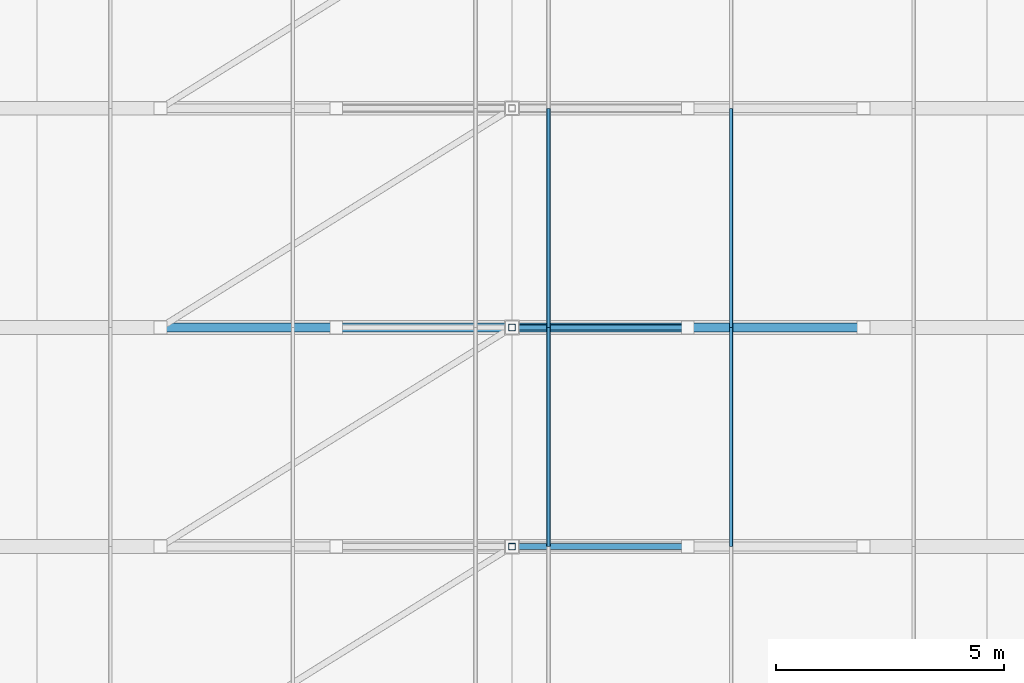
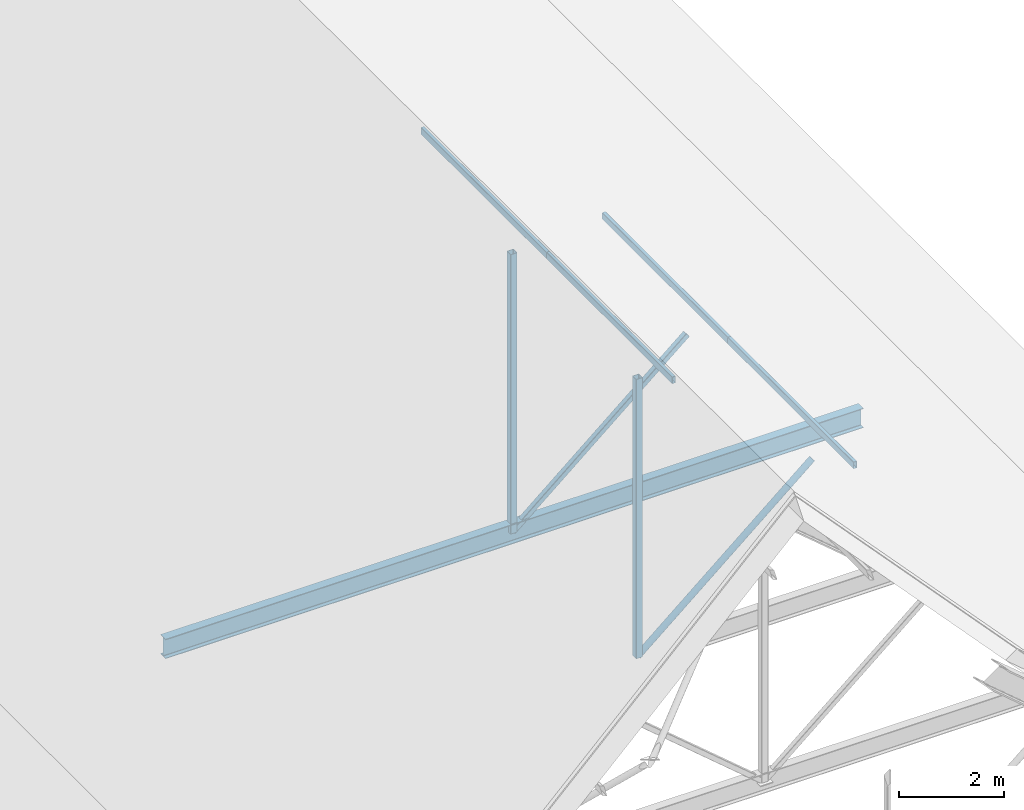
# One storey, part 26 of 60: 8 members, 1 beam.
"""IFC4 building model written with IfcOpenShell, lengths in metres."""

from ifc_helpers import new_model, si_unit, direction, frame, origin, origin_2d, place, context, subcontext, project, spatial, hollow_rectangle, hollow_circle, i_section, extrude, material, material_profile, profile_set, type_object, element, save


model = new_model("IFC4")

# Units and contexts
model_context = context("Model", 3, precision=1e-05, world=origin(), true_north=direction((0.0, 1.0)))
body_context = subcontext(model_context, "Body", "Model", "MODEL_VIEW")
ifc_project = project(units=[si_unit("LENGTHUNIT", "METRE"), si_unit("AREAUNIT", "SQUARE_METRE"), si_unit("VOLUMEUNIT", "CUBIC_METRE"), si_unit("PLANEANGLEUNIT", "RADIAN"), si_unit("MASSUNIT", "GRAM", prefix="KILO")], contexts=[model_context])

# Site, building, storey
site_placement = place(None, origin())
site = spatial("IfcSite", under=ifc_project, at=site_placement, CompositionType="ELEMENT")
building_placement = place(site_placement, origin())
building = spatial("IfcBuilding", under=site, at=building_placement, Name="Nakhvara Creek Congress Hotel", CompositionType="ELEMENT")
storey_placement = place(building_placement, frame((0.0, 0.0, 54.60009765625)))
storey = spatial("IfcBuildingStorey", under=building, at=storey_placement, Name="RL1", CompositionType="ELEMENT", Elevation=54.60009765625)

# Beam
ifc_material_1 = material(Name="Steel S355J2", Category="steel")
ifc_material_profile_1 = material_profile(ifc_material_1, i_section(OverallWidth=0.1904296875, OverallDepth=0.45703125, WebThickness=0.009033203125, FlangeThickness=0.014404296875, FilletRadius=0.01025390625, at=origin_2d()), Name="UB 457x191x74", Category="LoadBearing")
ifc_profile_set_1 = profile_set([ifc_material_profile_1], Name="Steel S355J2")
beam_type = type_object("IfcBeamType", Name="BM-ST-UB457", PredefinedType="BEAM", material=ifc_profile_set_1)
beam_placement = place(storey_placement, frame((156.70166015625, 92.39990234375, 1.599853515625), z_axis=(1.0, 0.0, 0.0), x_axis=(0.0, 1.0, 0.0)))
element("IfcBeam", 1, at=beam_placement, inside=storey, type_object=beam_type, Name="Hotel Gothic Gable Collar Tie 05", PredefinedType="BEAM", context=body_context, shape_type="SweptSolid", body=[
    extrude(i_section(OverallWidth=0.1904296875, OverallDepth=0.45703125, WebThickness=0.009033203125, FlangeThickness=0.014404296875, FilletRadius=0.01025390625, at=origin_2d()), origin(), (0.0, 0.0, 1.0), 15.396728515625),
])

# Members
ifc_material_2 = material(Name="Steel S355J2H", Category="steel")
ifc_material_profile_2 = material_profile(ifc_material_2, hollow_circle(Radius=0.06982421875, WallThickness=0.008056640625, at=origin_2d()), Name="CHS 139.7x8.0", Category="LoadBearing")
ifc_profile_set_2 = profile_set([ifc_material_profile_2], Name="Steel S355J2H")
member_type_1 = type_object("IfcMemberType", Name="MEM-BRC-CHS139H", PredefinedType="BRACE", material=ifc_profile_set_2)
member_1_placement = place(storey_placement, frame((164.39990234375, 87.60009765625, 1.599853515625), z_axis=(0.763373429147, 0.0, 0.645957434876), x_axis=(0.0, 1.0, 0.0)))
element("IfcMember", 2, at=member_1_placement, inside=storey, type_object=member_type_1, Name="Hotel Gable Web Brace E-04", PredefinedType="BRACE", context=body_context, shape_type="SweptSolid", body=[
    extrude(hollow_circle(Radius=0.06982421875, WallThickness=0.008056640625, at=origin_2d()), origin(), (0.0, 0.0, 1.0), 5.042236328125),
])
ifc_material_profile_3 = material_profile(ifc_material_2, hollow_rectangle(XDim=0.1201171875, YDim=0.1201171875, WallThickness=0.008056640625, InnerFilletRadius=0.008056640625, OuterFilletRadius=0.01611328125, at=origin_2d()), Name="SHS 120x120x8.0", Category="LoadBearing")
ifc_profile_set_3 = profile_set([ifc_material_profile_3], Name="Steel S355J2H")
member_type_2 = type_object("IfcMemberType", Name="MEM-BRC-SHS120", PredefinedType="BRACE", material=ifc_profile_set_3)
member_2_placement = place(storey_placement, frame((164.39990234375, 92.39990234375, 1.599853515625), z_axis=(0.763373429147, 0.0, 0.645957434876), x_axis=(0.0, 1.0, 0.0)))
element("IfcMember", 3, at=member_2_placement, inside=storey, type_object=member_type_2, Name="Hotel Gable Web Brace E-05", PredefinedType="BRACE", context=body_context, shape_type="SweptSolid", body=[
    extrude(hollow_rectangle(XDim=0.1201171875, YDim=0.1201171875, WallThickness=0.008056640625, InnerFilletRadius=0.008056640625, OuterFilletRadius=0.01611328125, at=origin_2d()), origin(), (0.0, 0.0, 1.0), 5.042236328125),
])
ifc_material_profile_4 = material_profile(ifc_material_2, hollow_rectangle(XDim=0.080078125, YDim=0.159912109375, WallThickness=0.00634765625, InnerFilletRadius=0.00634765625, OuterFilletRadius=0.0126953125, at=origin_2d()), Name="RHS 160x80x6.3", Category="LoadBearing")
ifc_profile_set_4 = profile_set([ifc_material_profile_4], Name="Steel S355J2H")
member_type_3 = type_object("IfcMemberType", Name="MEM-PUR-RHS160", PredefinedType="PURLIN", material=ifc_profile_set_4)
member_3_placement = place(storey_placement, frame((165.199951171875, 87.60009765625, 7.7568359375), z_axis=(0.0, 1.0, 0.0), x_axis=(-1.0, 0.0, 0.0)))
element("IfcMember", 4, at=member_3_placement, inside=storey, type_object=member_type_3, Name="Hotel Gable Purlin PR03-5.04", PredefinedType="PURLIN", context=body_context, shape_type="SweptSolid", body=[
    extrude(hollow_rectangle(XDim=0.080078125, YDim=0.159912109375, WallThickness=0.00634765625, InnerFilletRadius=0.00634765625, OuterFilletRadius=0.0126953125, at=origin_2d()), origin(), (0.0, 0.0, 1.0), 4.7998046875),
])
member_4_placement = place(storey_placement, frame((165.199951171875, 92.39990234375, 7.7568359375), z_axis=(0.0, 1.0, 0.0), x_axis=(-1.0, 0.0, 0.0)))
element("IfcMember", 5, at=member_4_placement, inside=storey, type_object=member_type_3, Name="Hotel Gable Purlin PR03-5.05", PredefinedType="PURLIN", context=body_context, shape_type="SweptSolid", body=[
    extrude(hollow_rectangle(XDim=0.080078125, YDim=0.159912109375, WallThickness=0.00634765625, InnerFilletRadius=0.00634765625, OuterFilletRadius=0.0126953125, at=origin_2d()), origin(), (0.0, 0.0, 1.0), 4.800048828125),
])
member_5_placement = place(storey_placement, frame((169.199951171875, 87.60009765625, 4.372314453125), z_axis=(0.0, 1.0, 0.0), x_axis=(-1.0, 0.0, 0.0)))
element("IfcMember", 6, at=member_5_placement, inside=storey, type_object=member_type_3, Name="Hotel Gable Purlin PR03-6.04", PredefinedType="PURLIN", context=body_context, shape_type="SweptSolid", body=[
    extrude(hollow_rectangle(XDim=0.080078125, YDim=0.159912109375, WallThickness=0.00634765625, InnerFilletRadius=0.00634765625, OuterFilletRadius=0.0126953125, at=origin_2d()), origin(), (0.0, 0.0, 1.0), 4.7998046875),
])
member_6_placement = place(storey_placement, frame((169.199951171875, 92.39990234375, 4.372314453125), z_axis=(0.0, 1.0, 0.0), x_axis=(-1.0, 0.0, 0.0)))
element("IfcMember", 7, at=member_6_placement, inside=storey, type_object=member_type_3, Name="Hotel Gable Purlin PR03-6.05", PredefinedType="PURLIN", context=body_context, shape_type="SweptSolid", body=[
    extrude(hollow_rectangle(XDim=0.080078125, YDim=0.159912109375, WallThickness=0.00634765625, InnerFilletRadius=0.00634765625, OuterFilletRadius=0.0126953125, at=origin_2d()), origin(), (0.0, 0.0, 1.0), 4.800048828125),
])
ifc_material_profile_5 = material_profile(ifc_material_2, hollow_rectangle(XDim=0.14990234375, YDim=0.14990234375, WallThickness=0.008056640625, InnerFilletRadius=0.008056640625, OuterFilletRadius=0.01611328125, at=origin_2d()), Name="SHS 150x150x8.0", Category="LoadBearing")
ifc_profile_set_5 = profile_set([ifc_material_profile_5], Name="Steel S355J2H")
member_type_4 = type_object("IfcMemberType", Name="MEM-STR-SHS150", PredefinedType="STRUT", material=ifc_profile_set_5)
for number, where, z_axis, x_axis, name in (
    (8, (164.39990234375, 87.60009765625, 1.599853515625), (0.0, 0.0, 1.0), (1.0, 0.0, 0.0), "Hotel Gable King-Post Strut 04"),
    (9, (164.39990234375, 92.39990234375, 1.599853515625), (0.0, 0.0, 1.0), (1.0, 0.0, 0.0), "Hotel Gable King-Post Strut 05"),
):
    element("IfcMember", number, at=place(storey_placement, frame(where, z_axis=z_axis, x_axis=x_axis)), inside=storey, type_object=member_type_4, Name=name, PredefinedType="STRUT", context=body_context, shape_type="SweptSolid", body=[
        extrude(hollow_rectangle(XDim=0.14990234375, YDim=0.14990234375, WallThickness=0.008056640625, InnerFilletRadius=0.008056640625, OuterFilletRadius=0.01611328125, at=origin_2d()), origin(), (0.0, 0.0, 1.0), 6.513916015625),
    ])

save(model, "model.ifc")
